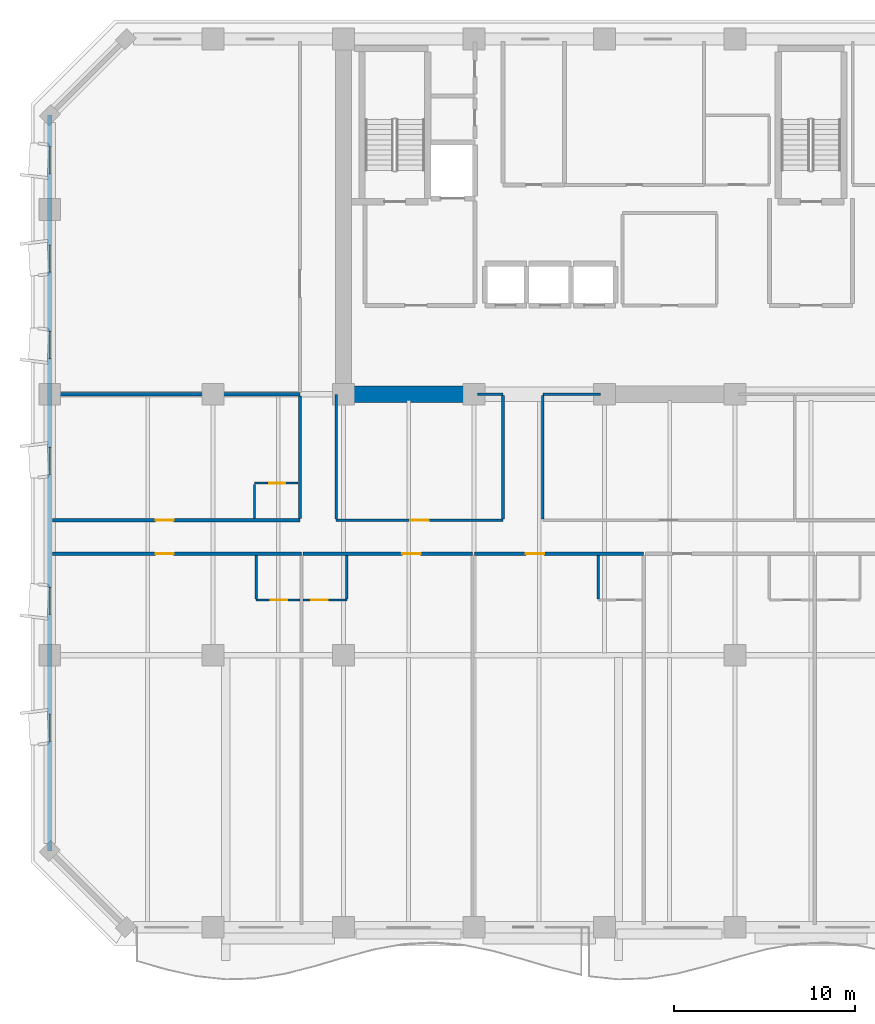
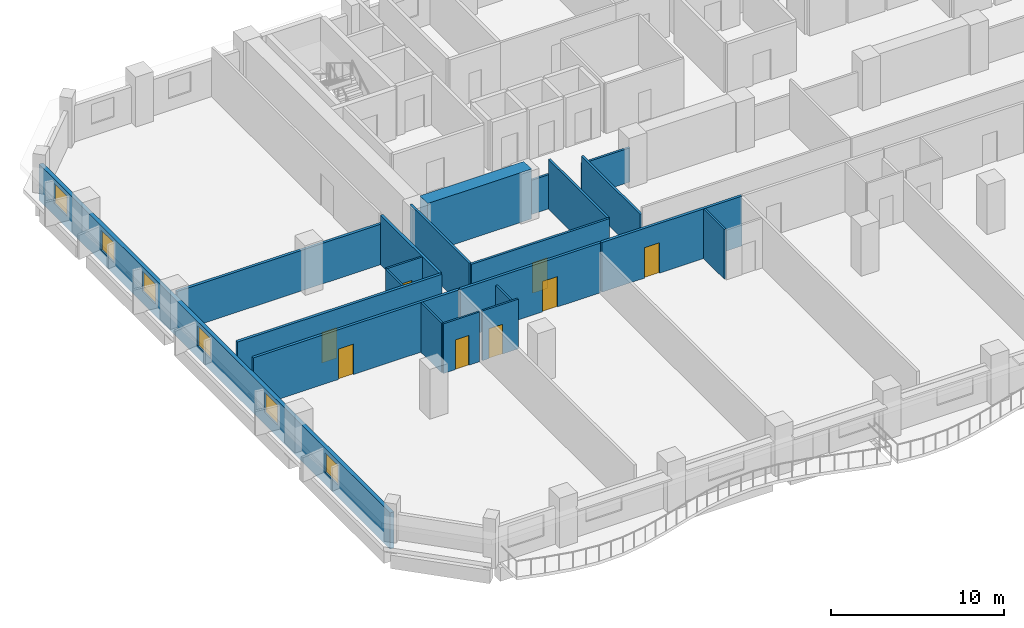
# One storey, part 4 of 14: 21 walls, 8 doors, 6 windows, 14 openings.
"""IFC4 building model written with IfcOpenShell, lengths in metres."""

from ifc_helpers import new_model, si_unit, direction, frame, frame_2d, origin, place, context, subcontext, project, spatial, rectangle, extrude, material, layer, layer_set, type_object, element, fill, save


model = new_model("IFC4")

# Units and contexts
model_context = context("Model", 3, precision=1e-05, world=origin(), true_north=direction((0.0, 1.0)))
body_context = subcontext(model_context, "Body", "Model", "MODEL_VIEW")
ifc_project = project(units=[si_unit("LENGTHUNIT", "METRE"), si_unit("AREAUNIT", "SQUARE_METRE"), si_unit("VOLUMEUNIT", "CUBIC_METRE"), si_unit("PLANEANGLEUNIT", "RADIAN"), si_unit("MASSUNIT", "GRAM", prefix="KILO")], contexts=[model_context])

# Site, building, storey
site_placement = place(None, origin())
site = spatial("IfcSite", under=ifc_project, at=site_placement, CompositionType="ELEMENT")
building_placement = place(site_placement, origin())
building = spatial("IfcBuilding", under=site, at=building_placement, Name="Kaelvorn Grand Hotel", CompositionType="ELEMENT")
storey_placement = place(building_placement, frame((0.0, 0.0, 93.050048828125)))
storey = spatial("IfcBuildingStorey", under=building, at=storey_placement, Name="L21", CompositionType="ELEMENT", Elevation=93.050048828125)

# Wall
ifc_material_1 = material(Name="Concrete C60/75", Category="concrete")
ifc_layer_1 = layer(ifc_material_1, 0.89990234375)
ifc_layer_set_1 = layer_set([ifc_layer_1], Name="Concrete C60/75")
wall_type_1 = type_object("IfcWallType", Name="WL-CORE-900-C60", PredefinedType="SHEAR", material=ifc_layer_set_1)
wall_1_placement = place(storey_placement, frame((16.655029296875, 29.39990234375, 0.0), z_axis=(0.0, 0.0, 1.0), x_axis=(1.0, 0.0, 0.0)))
element("IfcWall", 1, at=wall_1_placement, inside=storey, type_object=wall_type_1, Name="L21 Rear-Core Coupled Shear Pier S1", PredefinedType="SHEAR", context=body_context, shape_type="SweptSolid", body=[
    extrude(rectangle(XDim=6.945068359375, YDim=0.89990234375, at=frame_2d((3.47265625, 0.0))), origin(), (0.0, 0.0, 1.0), 3.510009765625),
])

# Wall, openings, windows
ifc_material_2 = material(Name="Concrete C40/50", Category="concrete")
ifc_layer_2 = layer(ifc_material_2, 0.260009765625)
ifc_layer_set_2 = layer_set([ifc_layer_2], Name="Concrete C40/50")
wall_type_2 = type_object("IfcWallType", Name="WL-EXT-260-C40", PredefinedType="SOLIDWALL", material=ifc_layer_set_2)
wall_2_placement = place(storey_placement, frame((0.0, 44.800048828125, 0.0), z_axis=(0.0, 0.0, 1.0), x_axis=(0.0, -1.0, 0.0)))
wall_2 = element("IfcWall", 2, at=wall_2_placement, inside=storey, type_object=wall_type_2, Name="L21 Exterior Architectural Concrete Wall 07", PredefinedType="SOLIDWALL", context=body_context, shape_type="SweptSolid", body=[
    extrude(rectangle(XDim=40.60009765625, YDim=0.260009765625, at=frame_2d((20.300048828125, 0.0))), origin(), (0.0, 0.0, 1.0), 2.56005859375),
])
opening_1_placement = place(wall_2_placement, frame((33.050048828125, 0.0, 0.85009765625)))
opening_1 = element("IfcOpeningElement", 3, at=opening_1_placement, cuts=wall_2, Name="Opening W10", PredefinedType="OPENING", context=body_context, shape_type="SweptSolid", body=[
    extrude(rectangle(XDim=1.5, YDim=1.39990234375, at=frame_2d((0.75, 0.699951171875))), frame((0.0, 0.14013671875, 0.0), z_axis=(0.0, -1.0, 0.0), x_axis=(1.0, 0.0, 0.0)), (0.0, 0.0, 1.0), 0.280029296875),
])
opening_2_placement = place(wall_2_placement, frame((26.050048828125, 0.0, 0.85009765625)))
opening_2 = element("IfcOpeningElement", 4, at=opening_2_placement, cuts=wall_2, Name="Opening W10", PredefinedType="OPENING", context=body_context, shape_type="SweptSolid", body=[
    extrude(rectangle(XDim=1.5, YDim=1.39990234375, at=frame_2d((0.75, 0.699951171875))), frame((0.0, 0.14013671875, 0.0), z_axis=(0.0, -1.0, 0.0), x_axis=(1.0, 0.0, 0.0)), (0.0, 0.0, 1.0), 0.280029296875),
])
opening_3_placement = place(wall_2_placement, frame((18.324951171875, 0.0, 0.85009765625)))
opening_3 = element("IfcOpeningElement", 5, at=opening_3_placement, cuts=wall_2, Name="Opening W10", PredefinedType="OPENING", context=body_context, shape_type="SweptSolid", body=[
    extrude(rectangle(XDim=1.5, YDim=1.39990234375, at=frame_2d((0.75, 0.699951171875))), frame((0.0, 0.14013671875, 0.0), z_axis=(0.0, -1.0, 0.0), x_axis=(1.0, 0.0, 0.0)), (0.0, 0.0, 1.0), 0.280029296875),
])
opening_4_placement = place(wall_2_placement, frame((11.93505859375, 0.0, 0.85009765625)))
opening_4 = element("IfcOpeningElement", 6, at=opening_4_placement, cuts=wall_2, Name="Opening W10", PredefinedType="OPENING", context=body_context, shape_type="SweptSolid", body=[
    extrude(rectangle(XDim=1.5, YDim=1.39990234375, at=frame_2d((0.75, 0.699951171875))), frame((0.0, 0.14013671875, 0.0), z_axis=(0.0, -1.0, 0.0), x_axis=(1.0, 0.0, 0.0)), (0.0, 0.0, 1.0), 0.280029296875),
])
opening_5_placement = place(wall_2_placement, frame((7.1650390625, 0.0, 0.85009765625)))
opening_5 = element("IfcOpeningElement", 7, at=opening_5_placement, cuts=wall_2, Name="Opening W10", PredefinedType="OPENING", context=body_context, shape_type="SweptSolid", body=[
    extrude(rectangle(XDim=1.5, YDim=1.39990234375, at=frame_2d((0.75, 0.699951171875))), frame((0.0, 0.14013671875, 0.0), z_axis=(0.0, -1.0, 0.0), x_axis=(1.0, 0.0, 0.0)), (0.0, 0.0, 1.0), 0.280029296875),
])
opening_6_placement = place(wall_2_placement, frame((1.735107421875, 0.0, 0.85009765625)))
opening_6 = element("IfcOpeningElement", 8, at=opening_6_placement, cuts=wall_2, Name="Opening W10", PredefinedType="OPENING", context=body_context, shape_type="SweptSolid", body=[
    extrude(rectangle(XDim=1.5, YDim=1.39990234375, at=frame_2d((0.75, 0.699951171875))), frame((0.0, 0.14013671875, 0.0), z_axis=(0.0, -1.0, 0.0), x_axis=(1.0, 0.0, 0.0)), (0.0, 0.0, 1.0), 0.280029296875),
])
ifc_material_3 = material(Name="Laminated Low-E Glass", Category="glass")
window_type = type_object("IfcWindowType", Name="WIN-COR-1500x1400", PartitioningType="SINGLE_PANEL", PredefinedType="WINDOW", material=ifc_material_3)
window_1_placement = place(opening_1_placement, origin())
window_1 = element("IfcWindow", 9, at=window_1_placement, inside=storey, type_object=window_type, Name="L21 W Wing Tilted-Frame Ribbon Window W01", OverallHeight=1.39990234375, OverallWidth=1.5, PartitioningType="SINGLE_PANEL", PredefinedType="WINDOW", context=body_context, shape_type="SweptSolid", body=[
    extrude(rectangle(XDim=1.5, YDim=1.39990234375, at=frame_2d((0.75, 0.699951171875))), frame((0.0, 0.030029296875, 0.0), z_axis=(0.0, -1.0, 0.0), x_axis=(1.0, 0.0, 0.0)), (0.0, 0.0, 1.0), 0.06005859375),
])
fill(opening_1, window_1)
window_2_placement = place(opening_2_placement, origin())
window_2 = element("IfcWindow", 10, at=window_2_placement, inside=storey, type_object=window_type, Name="L21 W Wing Tilted-Frame Ribbon Window W02", OverallHeight=1.39990234375, OverallWidth=1.5, PartitioningType="SINGLE_PANEL", PredefinedType="WINDOW", context=body_context, shape_type="SweptSolid", body=[
    extrude(rectangle(XDim=1.5, YDim=1.39990234375, at=frame_2d((0.75, 0.699951171875))), frame((0.0, 0.030029296875, 0.0), z_axis=(0.0, -1.0, 0.0), x_axis=(1.0, 0.0, 0.0)), (0.0, 0.0, 1.0), 0.06005859375),
])
fill(opening_2, window_2)
window_3_placement = place(opening_3_placement, origin())
window_3 = element("IfcWindow", 11, at=window_3_placement, inside=storey, type_object=window_type, Name="L21 W Wing Tilted-Frame Ribbon Window W03", OverallHeight=1.39990234375, OverallWidth=1.5, PartitioningType="SINGLE_PANEL", PredefinedType="WINDOW", context=body_context, shape_type="SweptSolid", body=[
    extrude(rectangle(XDim=1.5, YDim=1.39990234375, at=frame_2d((0.75, 0.699951171875))), frame((0.0, 0.030029296875, 0.0), z_axis=(0.0, -1.0, 0.0), x_axis=(1.0, 0.0, 0.0)), (0.0, 0.0, 1.0), 0.06005859375),
])
fill(opening_3, window_3)
window_4_placement = place(opening_4_placement, origin())
window_4 = element("IfcWindow", 12, at=window_4_placement, inside=storey, type_object=window_type, Name="L21 W Wing Tilted-Frame Ribbon Window W04", OverallHeight=1.39990234375, OverallWidth=1.5, PartitioningType="SINGLE_PANEL", PredefinedType="WINDOW", context=body_context, shape_type="SweptSolid", body=[
    extrude(rectangle(XDim=1.5, YDim=1.39990234375, at=frame_2d((0.75, 0.699951171875))), frame((0.0, 0.030029296875, 0.0), z_axis=(0.0, -1.0, 0.0), x_axis=(1.0, 0.0, 0.0)), (0.0, 0.0, 1.0), 0.06005859375),
])
fill(opening_4, window_4)
window_5_placement = place(opening_5_placement, origin())
window_5 = element("IfcWindow", 13, at=window_5_placement, inside=storey, type_object=window_type, Name="L21 W Wing Tilted-Frame Ribbon Window W05", OverallHeight=1.39990234375, OverallWidth=1.5, PartitioningType="SINGLE_PANEL", PredefinedType="WINDOW", context=body_context, shape_type="SweptSolid", body=[
    extrude(rectangle(XDim=1.5, YDim=1.39990234375, at=frame_2d((0.75, 0.699951171875))), frame((0.0, 0.030029296875, 0.0), z_axis=(0.0, -1.0, 0.0), x_axis=(1.0, 0.0, 0.0)), (0.0, 0.0, 1.0), 0.06005859375),
])
fill(opening_5, window_5)
window_6_placement = place(opening_6_placement, origin())
window_6 = element("IfcWindow", 14, at=window_6_placement, inside=storey, type_object=window_type, Name="L21 W Wing Tilted-Frame Ribbon Window W06", OverallHeight=1.39990234375, OverallWidth=1.5, PartitioningType="SINGLE_PANEL", PredefinedType="WINDOW", context=body_context, shape_type="SweptSolid", body=[
    extrude(rectangle(XDim=1.5, YDim=1.39990234375, at=frame_2d((0.75, 0.699951171875))), frame((0.0, 0.030029296875, 0.0), z_axis=(0.0, -1.0, 0.0), x_axis=(1.0, 0.0, 0.0)), (0.0, 0.0, 1.0), 0.06005859375),
])
fill(opening_6, window_6)

# Wall, opening, door
ifc_material_4 = material(Name="Moisture-Resistant Tile & Stud Board")
ifc_layer_3 = layer(ifc_material_4, 0.125)
ifc_layer_set_3 = layer_set([ifc_layer_3], Name="Moisture-Resistant Tile & Stud Board")
wall_type_3 = type_object("IfcWallType", Name="WL-PART-125-WET", PredefinedType="PARTITIONING", material=ifc_layer_set_3)
wall_3_placement = place(storey_placement, frame((11.3876953125, 18.050048828125, 0.0), z_axis=(0.0, 0.0, 1.0), x_axis=(1.0, 0.0, 0.0)))
wall_3 = element("IfcWall", 15, at=wall_3_placement, inside=storey, type_object=wall_type_3, Name="L21 En-suite Bathroom L21-01 S Partition", PredefinedType="PARTITIONING", context=body_context, shape_type="SweptSolid", body=[
    extrude(rectangle(XDim=2.405029296875, YDim=0.125, at=frame_2d((1.20263671875, 0.0))), origin(), (0.0, 0.0, 1.0), 3.510009765625),
])
opening_7_placement = place(wall_3_placement, frame((0.800048828125, 0.0, 0.0)))
opening_7 = element("IfcOpeningElement", 16, at=opening_7_placement, cuts=wall_3, Name="Opening DI4", PredefinedType="OPENING", context=body_context, shape_type="SweptSolid", body=[
    extrude(rectangle(XDim=0.89990234375, YDim=2.10009765625, at=frame_2d((0.449951171875, 1.050048828125))), frame((0.0, 0.072509765625, 0.0), z_axis=(0.0, -1.0, 0.0), x_axis=(1.0, 0.0, 0.0)), (0.0, 0.0, 1.0), 0.14501953125),
])
ifc_material_5 = material(Name="Timber Veneer Leaf", Category="wood")
door_type_1 = type_object("IfcDoorType", Name="DR-INT-BATH-900x2100", OperationType="NOTDEFINED", PredefinedType="DOOR", material=ifc_material_5)
door_1_placement = place(opening_7_placement, origin())
door_1 = element("IfcDoor", 17, at=door_1_placement, inside=storey, type_object=door_type_1, Name="L21 En-suite Bathroom L21-01 Door", OperationType="SINGLE_SWING_LEFT", OverallHeight=2.10009765625, OverallWidth=0.89990234375, PredefinedType="DOOR", context=body_context, shape_type="SweptSolid", body=[
    extrude(rectangle(XDim=0.89990234375, YDim=2.10009765625, at=frame_2d((0.449951171875, 1.050048828125))), frame((0.0, 0.02490234375, 0.0), z_axis=(0.0, -1.0, 0.0), x_axis=(1.0, 0.0, 0.0)), (0.0, 0.0, 1.0), 0.050048828125),
])
fill(opening_7, door_1)

# Wall
wall_4_placement = place(storey_placement, frame((11.3876953125, 18.117431640625, 0.0), z_axis=(0.0, 0.0, 1.0), x_axis=(0.0, 1.0, 0.0)))
element("IfcWall", 18, at=wall_4_placement, inside=storey, type_object=wall_type_3, Name="L21 En-suite Bathroom L21-01 W Partition", PredefinedType="PARTITIONING", context=body_context, shape_type="SweptSolid", body=[
    extrude(rectangle(XDim=2.387451171875, YDim=0.125, at=frame_2d((1.19384765625, 0.0))), origin(), (0.0, 0.0, 1.0), 3.510009765625),
])

# Wall, opening, door
wall_5_placement = place(storey_placement, frame((13.982666015625, 18.050048828125, 0.0), z_axis=(0.0, 0.0, 1.0), x_axis=(1.0, 0.0, 0.0)))
wall_5 = element("IfcWall", 19, at=wall_5_placement, inside=storey, type_object=wall_type_3, Name="L21 En-suite Bathroom L21-02 S Partition", PredefinedType="PARTITIONING", context=body_context, shape_type="SweptSolid", body=[
    extrude(rectangle(XDim=2.405029296875, YDim=0.125, at=frame_2d((1.20263671875, 0.0))), origin(), (0.0, 0.0, 1.0), 3.510009765625),
])
opening_8_placement = place(wall_5_placement, frame((0.455078125, 0.0, 0.0)))
opening_8 = element("IfcOpeningElement", 20, at=opening_8_placement, cuts=wall_5, Name="Opening DI4", PredefinedType="OPENING", context=body_context, shape_type="SweptSolid", body=[
    extrude(rectangle(XDim=0.89990234375, YDim=2.10009765625, at=frame_2d((0.449951171875, 1.050048828125))), frame((0.0, 0.072509765625, 0.0), z_axis=(0.0, -1.0, 0.0), x_axis=(1.0, 0.0, 0.0)), (0.0, 0.0, 1.0), 0.14501953125),
])
door_2_placement = place(opening_8_placement, origin())
door_2 = element("IfcDoor", 21, at=door_2_placement, inside=storey, type_object=door_type_1, Name="L21 En-suite Bathroom L21-02 Door", OperationType="SINGLE_SWING_LEFT", OverallHeight=2.10009765625, OverallWidth=0.89990234375, PredefinedType="DOOR", context=body_context, shape_type="SweptSolid", body=[
    extrude(rectangle(XDim=0.89990234375, YDim=2.10009765625, at=frame_2d((0.449951171875, 1.050048828125))), frame((0.0, 0.02490234375, 0.0), z_axis=(0.0, -1.0, 0.0), x_axis=(1.0, 0.0, 0.0)), (0.0, 0.0, 1.0), 0.050048828125),
])
fill(opening_8, door_2)

# Walls
wall_6_placement = place(storey_placement, frame((16.3876953125, 18.117431640625, 0.0), z_axis=(0.0, 0.0, 1.0), x_axis=(0.0, 1.0, 0.0)))
element("IfcWall", 22, at=wall_6_placement, inside=storey, type_object=wall_type_3, Name="L21 En-suite Bathroom L21-02 E Partition", PredefinedType="PARTITIONING", context=body_context, shape_type="SweptSolid", body=[
    extrude(rectangle(XDim=2.387451171875, YDim=0.125, at=frame_2d((1.19384765625, 0.0))), origin(), (0.0, 0.0, 1.0), 2.976806640625),
])
wall_7_placement = place(storey_placement, frame((30.26318359375, 18.117431640625, 0.0), z_axis=(0.0, 0.0, 1.0), x_axis=(0.0, 1.0, 0.0)))
element("IfcWall", 23, at=wall_7_placement, inside=storey, type_object=wall_type_3, Name="L21 En-suite Bathroom L21-03 W Partition", PredefinedType="PARTITIONING", context=body_context, shape_type="SweptSolid", body=[
    extrude(rectangle(XDim=2.387451171875, YDim=0.125, at=frame_2d((1.19384765625, 0.0))), origin(), (0.0, 0.0, 1.0), 3.510009765625),
])

# Wall, opening, door
wall_8_placement = place(storey_placement, frame((11.300048828125, 24.5, 0.0), z_axis=(0.0, 0.0, 1.0), x_axis=(1.0, 0.0, 0.0)))
wall_8 = element("IfcWall", 24, at=wall_8_placement, inside=storey, type_object=wall_type_3, Name="L21 En-suite Bathroom L21-09 N Partition", PredefinedType="PARTITIONING", context=body_context, shape_type="SweptSolid", body=[
    extrude(rectangle(XDim=2.405029296875, YDim=0.125, at=frame_2d((1.20263671875, 0.0))), origin(), (0.0, 0.0, 1.0), 3.510009765625),
])
opening_9_placement = place(wall_8_placement, frame((0.800048828125, 0.0, 0.0)))
opening_9 = element("IfcOpeningElement", 25, at=opening_9_placement, cuts=wall_8, Name="Opening DI4", PredefinedType="OPENING", context=body_context, shape_type="SweptSolid", body=[
    extrude(rectangle(XDim=0.89990234375, YDim=2.10009765625, at=frame_2d((0.449951171875, 1.050048828125))), frame((0.0, 0.072509765625, 0.0), z_axis=(0.0, -1.0, 0.0), x_axis=(1.0, 0.0, 0.0)), (0.0, 0.0, 1.0), 0.14501953125),
])
door_3_placement = place(opening_9_placement, origin())
door_3 = element("IfcDoor", 26, at=door_3_placement, inside=storey, type_object=door_type_1, Name="L21 En-suite Bathroom L21-09 Door", OperationType="SINGLE_SWING_LEFT", OverallHeight=2.10009765625, OverallWidth=0.89990234375, PredefinedType="DOOR", context=body_context, shape_type="SweptSolid", body=[
    extrude(rectangle(XDim=0.89990234375, YDim=2.10009765625, at=frame_2d((0.449951171875, 1.050048828125))), frame((0.0, 0.02490234375, 0.0), z_axis=(0.0, -1.0, 0.0), x_axis=(1.0, 0.0, 0.0)), (0.0, 0.0, 1.0), 0.050048828125),
])
fill(opening_9, door_3)

# Wall
wall_9_placement = place(storey_placement, frame((11.300048828125, 22.544921875, 0.0), z_axis=(0.0, 0.0, 1.0), x_axis=(0.0, 1.0, 0.0)))
element("IfcWall", 27, at=wall_9_placement, inside=storey, type_object=wall_type_3, Name="L21 En-suite Bathroom L21-09 W Partition", PredefinedType="PARTITIONING", context=body_context, shape_type="SweptSolid", body=[
    extrude(rectangle(XDim=1.8876953125, YDim=0.125, at=frame_2d((0.94384765625, 0.0))), origin(), (0.0, 0.0, 1.0), 3.510009765625),
])

# Wall, opening, door
ifc_material_6 = material(Name="Acoustic Gypsum & Stud Partition")
ifc_layer_4 = layer(ifc_material_6, 0.14990234375)
ifc_layer_set_4 = layer_set([ifc_layer_4], Name="Acoustic Gypsum & Stud Partition")
wall_type_4 = type_object("IfcWallType", Name="WL-PART-150-EI60", PredefinedType="PARTITIONING", material=ifc_layer_set_4)
wall_10_placement = place(storey_placement, frame((15.800048828125, 22.449951171875, 0.0), z_axis=(0.0, 0.0, 1.0), x_axis=(1.0, 0.0, 0.0)))
wall_10 = element("IfcWall", 28, at=wall_10_placement, inside=storey, type_object=wall_type_4, Name="L21 Art Gallery Salon S Partition", PredefinedType="PARTITIONING", context=body_context, shape_type="SweptSolid", body=[
    extrude(rectangle(XDim=9.199951171875, YDim=0.14990234375, at=frame_2d((4.60009765625, 0.0))), origin(), (0.0, 0.0, 1.0), 3.510009765625),
])
opening_10_placement = place(wall_10_placement, frame((4.10009765625, 0.0, 0.0)))
opening_10 = element("IfcOpeningElement", 29, at=opening_10_placement, cuts=wall_10, Name="Opening DI3", PredefinedType="OPENING", context=body_context, shape_type="SweptSolid", body=[
    extrude(rectangle(XDim=1.0, YDim=2.14990234375, at=frame_2d((0.5, 1.074951171875))), frame((0.0, 0.0849609375, 0.0), z_axis=(0.0, -1.0, 0.0), x_axis=(1.0, 0.0, 0.0)), (0.0, 0.0, 1.0), 0.169921875),
])
ifc_material_7 = material(Name="Timber Veneer Fire Leaf", Category="wood")
door_type_2 = type_object("IfcDoorType", Name="DR-INT-GUEST-1000x2150", OperationType="NOTDEFINED", PredefinedType="DOOR", material=ifc_material_7)
door_4_placement = place(opening_10_placement, origin())
door_4 = element("IfcDoor", 30, at=door_4_placement, inside=storey, type_object=door_type_2, Name="L21 Art Gallery Salon Door", OperationType="SINGLE_SWING_RIGHT", OverallHeight=2.14990234375, OverallWidth=1.0, PredefinedType="DOOR", context=body_context, shape_type="SweptSolid", body=[
    extrude(rectangle(XDim=1.0, YDim=2.14990234375, at=frame_2d((0.5, 1.074951171875))), frame((0.0, 0.02490234375, 0.0), z_axis=(0.0, -1.0, 0.0), x_axis=(1.0, 0.0, 0.0)), (0.0, 0.0, 1.0), 0.050048828125),
])
fill(opening_10, door_4)

# Walls
wall_11_placement = place(storey_placement, frame((23.610107421875, 29.39990234375, 0.0), z_axis=(0.0, 0.0, 1.0), x_axis=(1.0, 0.0, 0.0)))
element("IfcWall", 31, at=wall_11_placement, inside=storey, type_object=wall_type_4, Name="L21 Art Gallery Salon N Partition", PredefinedType="PARTITIONING", context=body_context, shape_type="SweptSolid", body=[
    extrude(rectangle(XDim=1.389892578125, YDim=0.14990234375, at=frame_2d((0.69482421875, 0.0))), origin(), (0.0, 0.0, 1.0), 2.409912109375),
])
wall_12_placement = place(storey_placement, frame((15.800048828125, 22.530029296875, 0.0), z_axis=(0.0, 0.0, 1.0), x_axis=(0.0, 1.0, 0.0)))
element("IfcWall", 32, at=wall_12_placement, inside=storey, type_object=wall_type_4, Name="L21 Art Gallery Salon W Partition", PredefinedType="PARTITIONING", context=body_context, shape_type="SweptSolid", body=[
    extrude(rectangle(XDim=6.85986328125, YDim=0.14990234375, at=frame_2d((3.429931640625, 0.0))), origin(), (0.0, 0.0, 1.0), 3.510009765625),
])
wall_13_placement = place(storey_placement, frame((25.0, 22.530029296875, 0.0), z_axis=(0.0, 0.0, 1.0), x_axis=(0.0, 1.0, 0.0)))
element("IfcWall", 33, at=wall_13_placement, inside=storey, type_object=wall_type_4, Name="L21 Art Gallery Salon E Partition", PredefinedType="PARTITIONING", context=body_context, shape_type="SweptSolid", body=[
    extrude(rectangle(XDim=6.7900390625, YDim=0.14990234375, at=frame_2d((3.39501953125, 0.0))), origin(), (0.0, 0.0, 1.0), 3.510009765625),
])
wall_14_placement = place(storey_placement, frame((27.199951171875, 29.39990234375, 0.0), z_axis=(0.0, 0.0, 1.0), x_axis=(1.0, 0.0, 0.0)))
element("IfcWall", 34, at=wall_14_placement, inside=storey, type_object=wall_type_4, Name="L21 Pastry & Tea Kitchen N Partition (1)", PredefinedType="PARTITIONING", context=body_context, shape_type="SweptSolid", body=[
    extrude(rectangle(XDim=3.18994140625, YDim=0.14990234375, at=frame_2d((1.594970703125, 0.0))), origin(), (0.0, 0.0, 1.0), 2.409912109375),
])
wall_15_placement = place(storey_placement, frame((27.199951171875, 22.530029296875, 0.0), z_axis=(0.0, 0.0, 1.0), x_axis=(0.0, 1.0, 0.0)))
element("IfcWall", 35, at=wall_15_placement, inside=storey, type_object=wall_type_4, Name="L21 Pastry & Tea Kitchen W Partition", PredefinedType="PARTITIONING", context=body_context, shape_type="SweptSolid", body=[
    extrude(rectangle(XDim=6.7900390625, YDim=0.14990234375, at=frame_2d((3.39501953125, 0.0))), origin(), (0.0, 0.0, 1.0), 2.976806640625),
])

# Wall, opening, door
ifc_layer_5 = layer(ifc_material_6, 0.179931640625)
ifc_layer_set_5 = layer_set([ifc_layer_5], Name="Acoustic Gypsum & Stud Partition")
wall_type_5 = type_object("IfcWallType", Name="WL-PART-180-EI60", PredefinedType="PARTITIONING", material=ifc_layer_set_5)
wall_16_placement = place(storey_placement, frame((0.14990234375, 20.60009765625, 0.0), z_axis=(0.0, 0.0, 1.0), x_axis=(1.0, 0.0, 0.0)))
wall_16 = element("IfcWall", 36, at=wall_16_placement, inside=storey, type_object=wall_type_5, Name="L21 Presidential Sky Suite L21-01 N Partition", PredefinedType="PARTITIONING", context=body_context, shape_type="SweptSolid", body=[
    extrude(rectangle(XDim=13.73779296875, YDim=0.179931640625, at=frame_2d((6.868896484375, 0.0))), origin(), (0.0, 0.0, 1.0), 3.510009765625),
])
opening_11_placement = place(wall_16_placement, frame((5.68505859375, 0.0, 0.0)))
opening_11 = element("IfcOpeningElement", 37, at=opening_11_placement, cuts=wall_16, Name="Opening DI3", PredefinedType="OPENING", context=body_context, shape_type="SweptSolid", body=[
    extrude(rectangle(XDim=1.0, YDim=2.14990234375, at=frame_2d((0.5, 1.074951171875))), frame((0.0, 0.10009765625, 0.0), z_axis=(0.0, -1.0, 0.0), x_axis=(1.0, 0.0, 0.0)), (0.0, 0.0, 1.0), 0.199951171875),
])
door_5_placement = place(opening_11_placement, origin())
door_5 = element("IfcDoor", 38, at=door_5_placement, inside=storey, type_object=door_type_2, Name="L21 Presidential Sky Suite L21-01 Door", OperationType="SINGLE_SWING_RIGHT", OverallHeight=2.14990234375, OverallWidth=1.0, PredefinedType="DOOR", context=body_context, shape_type="SweptSolid", body=[
    extrude(rectangle(XDim=1.0, YDim=2.14990234375, at=frame_2d((0.5, 1.074951171875))), frame((0.0, 0.02490234375, 0.0), z_axis=(0.0, -1.0, 0.0), x_axis=(1.0, 0.0, 0.0)), (0.0, 0.0, 1.0), 0.050048828125),
])
fill(opening_11, door_5)

wall_17_placement = place(storey_placement, frame((13.982666015625, 20.60009765625, 0.0), z_axis=(0.0, 0.0, 1.0), x_axis=(1.0, 0.0, 0.0)))
wall_17 = element("IfcWall", 39, at=wall_17_placement, inside=storey, type_object=wall_type_5, Name="L21 Deluxe Panoramic Suite L21-02 N Partition", PredefinedType="PARTITIONING", context=body_context, shape_type="SweptSolid", body=[
    extrude(rectangle(XDim=9.3427734375, YDim=0.179931640625, at=frame_2d((4.67138671875, 0.0))), origin(), (0.0, 0.0, 1.0), 3.510009765625),
])
opening_12_placement = place(wall_17_placement, frame((5.47119140625, 0.0, 0.0)))
opening_12 = element("IfcOpeningElement", 40, at=opening_12_placement, cuts=wall_17, Name="Opening DI3", PredefinedType="OPENING", context=body_context, shape_type="SweptSolid", body=[
    extrude(rectangle(XDim=1.0, YDim=2.14990234375, at=frame_2d((0.5, 1.074951171875))), frame((0.0, 0.10009765625, 0.0), z_axis=(0.0, -1.0, 0.0), x_axis=(1.0, 0.0, 0.0)), (0.0, 0.0, 1.0), 0.199951171875),
])
door_6_placement = place(opening_12_placement, origin())
door_6 = element("IfcDoor", 41, at=door_6_placement, inside=storey, type_object=door_type_2, Name="L21 Deluxe Panoramic Suite L21-02 Door", OperationType="SINGLE_SWING_RIGHT", OverallHeight=2.14990234375, OverallWidth=1.0, PredefinedType="DOOR", context=body_context, shape_type="SweptSolid", body=[
    extrude(rectangle(XDim=1.0, YDim=2.14990234375, at=frame_2d((0.5, 1.074951171875))), frame((0.0, 0.02490234375, 0.0), z_axis=(0.0, -1.0, 0.0), x_axis=(1.0, 0.0, 0.0)), (0.0, 0.0, 1.0), 0.050048828125),
])
fill(opening_12, door_6)

wall_18_placement = place(storey_placement, frame((23.42041015625, 20.60009765625, 0.0), z_axis=(0.0, 0.0, 1.0), x_axis=(1.0, 0.0, 0.0)))
wall_18 = element("IfcWall", 42, at=wall_18_placement, inside=storey, type_object=wall_type_5, Name="L21 Deluxe Panoramic Suite L21-03 N Partition", PredefinedType="PARTITIONING", context=body_context, shape_type="SweptSolid", body=[
    extrude(rectangle(XDim=9.3427734375, YDim=0.179931640625, at=frame_2d((4.67138671875, 0.0))), origin(), (0.0, 0.0, 1.0), 3.510009765625),
])
opening_13_placement = place(wall_18_placement, frame((2.85107421875, 0.0, 0.0)))
opening_13 = element("IfcOpeningElement", 43, at=opening_13_placement, cuts=wall_18, Name="Opening DI3", PredefinedType="OPENING", context=body_context, shape_type="SweptSolid", body=[
    extrude(rectangle(XDim=1.0, YDim=2.14990234375, at=frame_2d((0.5, 1.074951171875))), frame((0.0, 0.10009765625, 0.0), z_axis=(0.0, -1.0, 0.0), x_axis=(1.0, 0.0, 0.0)), (0.0, 0.0, 1.0), 0.199951171875),
])
door_7_placement = place(opening_13_placement, origin())
door_7 = element("IfcDoor", 44, at=door_7_placement, inside=storey, type_object=door_type_2, Name="L21 Deluxe Panoramic Suite L21-03 Door", OperationType="SINGLE_SWING_RIGHT", OverallHeight=2.14990234375, OverallWidth=1.0, PredefinedType="DOOR", context=body_context, shape_type="SweptSolid", body=[
    extrude(rectangle(XDim=1.0, YDim=2.14990234375, at=frame_2d((0.5, 1.074951171875))), frame((0.0, 0.02490234375, 0.0), z_axis=(0.0, -1.0, 0.0), x_axis=(1.0, 0.0, 0.0)), (0.0, 0.0, 1.0), 0.050048828125),
])
fill(opening_13, door_7)

wall_19_placement = place(storey_placement, frame((0.14990234375, 22.449951171875, 0.0), z_axis=(0.0, 0.0, 1.0), x_axis=(1.0, 0.0, 0.0)))
wall_19 = element("IfcWall", 45, at=wall_19_placement, inside=storey, type_object=wall_type_5, Name="L21 West Chamfer Corner Suite L21-09 S Partition", PredefinedType="PARTITIONING", context=body_context, shape_type="SweptSolid", body=[
    extrude(rectangle(XDim=13.650146484375, YDim=0.179931640625, at=frame_2d((6.8251953125, 0.0))), origin(), (0.0, 0.0, 1.0), 3.510009765625),
])
opening_14_placement = place(wall_19_placement, frame((5.68505859375, 0.0, 0.0)))
opening_14 = element("IfcOpeningElement", 46, at=opening_14_placement, cuts=wall_19, Name="Opening DI3", PredefinedType="OPENING", context=body_context, shape_type="SweptSolid", body=[
    extrude(rectangle(XDim=1.0, YDim=2.14990234375, at=frame_2d((0.5, 1.074951171875))), frame((0.0, 0.10009765625, 0.0), z_axis=(0.0, -1.0, 0.0), x_axis=(1.0, 0.0, 0.0)), (0.0, 0.0, 1.0), 0.199951171875),
])
door_8_placement = place(opening_14_placement, origin())
door_8 = element("IfcDoor", 47, at=door_8_placement, inside=storey, type_object=door_type_2, Name="L21 West Chamfer Corner Suite L21-09 Door", OperationType="SINGLE_SWING_RIGHT", OverallHeight=2.14990234375, OverallWidth=1.0, PredefinedType="DOOR", context=body_context, shape_type="SweptSolid", body=[
    extrude(rectangle(XDim=1.0, YDim=2.14990234375, at=frame_2d((0.5, 1.074951171875))), frame((0.0, 0.02490234375, 0.0), z_axis=(0.0, -1.0, 0.0), x_axis=(1.0, 0.0, 0.0)), (0.0, 0.0, 1.0), 0.050048828125),
])
fill(opening_14, door_8)

# Walls
wall_20_placement = place(storey_placement, frame((0.14990234375, 29.39990234375, 0.0), z_axis=(0.0, 0.0, 1.0), x_axis=(1.0, 0.0, 0.0)))
element("IfcWall", 48, at=wall_20_placement, inside=storey, type_object=wall_type_5, Name="L21 West Chamfer Corner Suite L21-09 N Partition", PredefinedType="PARTITIONING", context=body_context, shape_type="SweptSolid", body=[
    extrude(rectangle(XDim=13.650146484375, YDim=0.179931640625, at=frame_2d((6.8251953125, 0.0))), origin(), (0.0, 0.0, 1.0), 2.85986328125),
])
wall_21_placement = place(storey_placement, frame((13.800048828125, 22.544921875, 0.0), z_axis=(0.0, 0.0, 1.0), x_axis=(0.0, 1.0, 0.0)))
element("IfcWall", 49, at=wall_21_placement, inside=storey, type_object=wall_type_5, Name="L21 West Chamfer Corner Suite L21-09 E Partition", PredefinedType="PARTITIONING", context=body_context, shape_type="SweptSolid", body=[
    extrude(rectangle(XDim=6.760009765625, YDim=0.179931640625, at=frame_2d((3.3798828125, 0.0))), origin(), (0.0, 0.0, 1.0), 3.510009765625),
])

save(model, "model.ifc")
